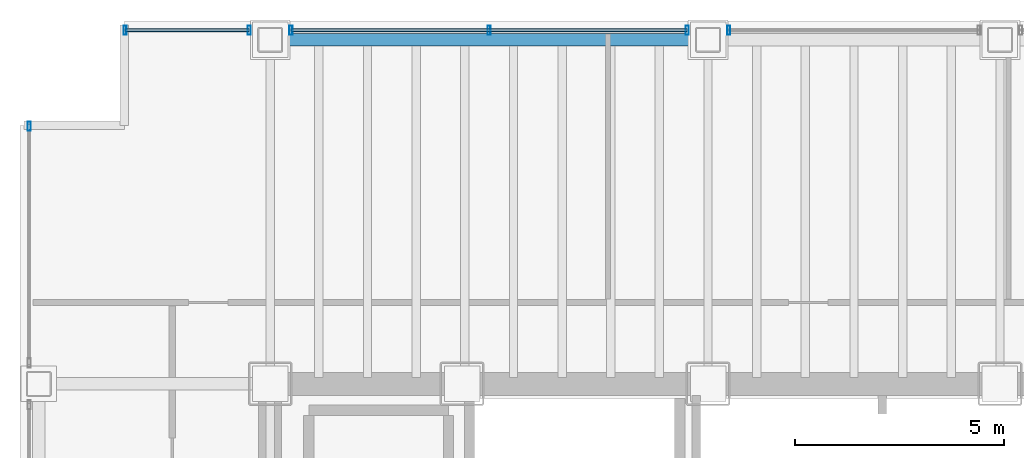
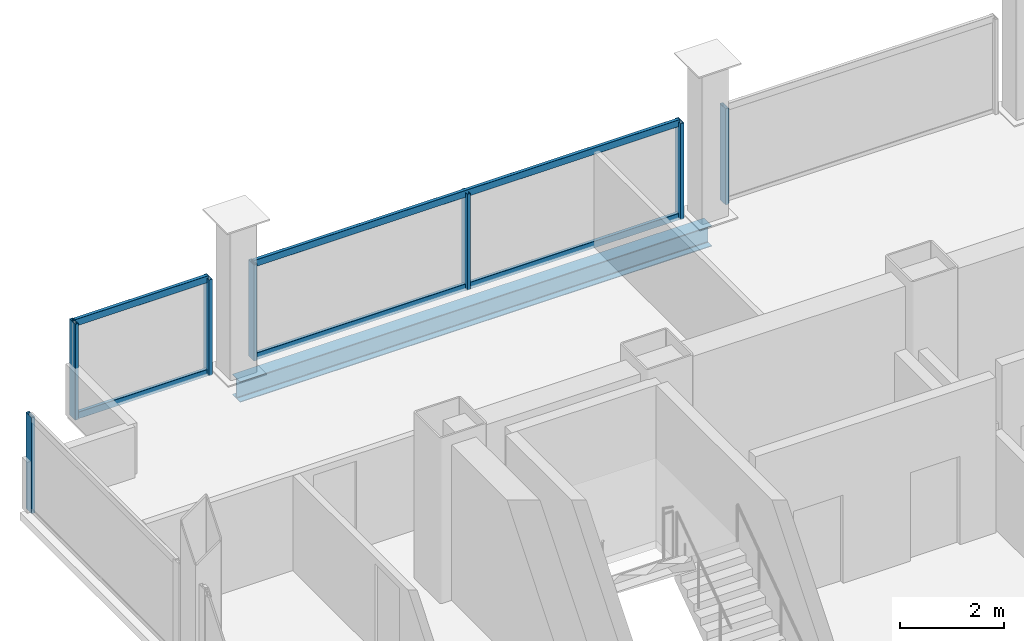
# One storey, part 13 of 21: 11 members, 1 beam, 4 elements without a shape of their own.
"""IFC4 building model written with IfcOpenShell, lengths in metres."""

from ifc_helpers import new_model, si_unit, direction, frame, origin, origin_2d, place, context, subcontext, project, spatial, hollow_rectangle, i_section, extrude, material, material_profile, profile_set, type_object, element, aggregate, save


model = new_model("IFC4")

# Units and contexts
model_context = context("Model", 3, precision=1e-05, world=origin(), true_north=direction((0.0, 1.0)))
body_context = subcontext(model_context, "Body", "Model", "MODEL_VIEW")
ifc_project = project(units=[si_unit("LENGTHUNIT", "METRE"), si_unit("AREAUNIT", "SQUARE_METRE"), si_unit("VOLUMEUNIT", "CUBIC_METRE"), si_unit("PLANEANGLEUNIT", "RADIAN"), si_unit("MASSUNIT", "GRAM", prefix="KILO")], contexts=[model_context])

# Site, building, storey
site_placement = place(None, origin())
site = spatial("IfcSite", under=ifc_project, at=site_placement, CompositionType="ELEMENT")
building_placement = place(site_placement, origin())
building = spatial("IfcBuilding", under=site, at=building_placement, Name="Noeulbin Bourse Tower", CompositionType="ELEMENT")
storey_placement = place(building_placement, frame((0.0, 0.0, 77.199951171875)))
storey = spatial("IfcBuildingStorey", under=building, at=storey_placement, Name="L19", CompositionType="ELEMENT", Elevation=77.199951171875)

# Beam
ifc_material_1 = material(Name="Steel S355", Category="steel")
ifc_material_profile_1 = material_profile(ifc_material_1, i_section(OverallWidth=0.300048828125, OverallDepth=0.488037109375, WebThickness=0.010986328125, FlangeThickness=0.01806640625, FilletRadius=0.02197265625, at=origin_2d()), Name="H-488x300x11x18", Category="LoadBearing")
ifc_profile_set_1 = profile_set([ifc_material_profile_1], Name="Steel S355")
beam_type = type_object("IfcBeamType", Name="BM-SPN-488", PredefinedType="SPANDREL", material=ifc_profile_set_1)
beam_placement = place(storey_placement, frame((13.5, 46.550048828125, -0.424072265625), z_axis=(1.0, 0.0, 0.0), x_axis=(0.0, 1.0, 0.0)))
element("IfcBeam", 1, at=beam_placement, inside=storey, type_object=beam_type, Name="North Spandrel L19-1", PredefinedType="SPANDREL", context=body_context, shape_type="SweptSolid", body=[
    extrude(i_section(OverallWidth=0.300048828125, OverallDepth=0.488037109375, WebThickness=0.010986328125, FlangeThickness=0.01806640625, FilletRadius=0.02197265625, at=origin_2d()), origin(), (0.0, 0.0, 1.0), 10.5),
])

# Curtain wall, members
ifc_material_2 = material(Name="Dark Solar-Control Double Glazing", Category="glass")
curtain_wall_type = type_object("IfcCurtainWallType", Name="CW-SYS-2", PredefinedType="NOTDEFINED", material=ifc_material_2)
curtain_wall_1_placement = place(storey_placement, origin())
curtain_wall_1 = element("IfcCurtainWall", 2, at=curtain_wall_1_placement, inside=storey, type_object=curtain_wall_type, Name="Unitised Curtain Wall CW-L19-N-S1", PredefinedType="NOTDEFINED")
ifc_material_3 = material(Name="Anodised Aluminium 6063-T6", Category="aluminium")
ifc_material_profile_2 = material_profile(ifc_material_3, hollow_rectangle(XDim=0.074951171875, YDim=0.219970703125, WallThickness=0.0048828125, InnerFilletRadius=0.00244140625, OuterFilletRadius=0.0048828125, at=origin_2d()), Name="ALU-MULL-75x220x5", Category="LoadBearing")
ifc_profile_set_2 = profile_set([ifc_material_profile_2], Name="Anodised Aluminium 6063-T6")
member_type_1 = type_object("IfcMemberType", Name="CW-SYS-2-MUL", PredefinedType="MULLION", material=ifc_profile_set_2)
member_1_placement = place(storey_placement, frame((10.02001953125, 46.780029296875, -0.02001953125), z_axis=(0.0, 0.0, 1.0), x_axis=(1.0, 0.0, 0.0)))
member_1 = element("IfcMember", 3, at=member_1_placement, type_object=member_type_1, Name="Curtain Wall Mullion CW-L19-N-S1-M00", PredefinedType="MULLION", context=body_context, shape_type="SweptSolid", body=[
    extrude(hollow_rectangle(XDim=0.074951171875, YDim=0.219970703125, WallThickness=0.0048828125, InnerFilletRadius=0.00244140625, OuterFilletRadius=0.0048828125, at=origin_2d()), origin(), (0.0, 0.0, 1.0), 2.260009765625),
])
member_2_placement = place(storey_placement, frame((13.0, 46.780029296875, -0.02001953125), z_axis=(0.0, 0.0, 1.0), x_axis=(1.0, 0.0, 0.0)))
member_2 = element("IfcMember", 4, at=member_2_placement, type_object=member_type_1, Name="Curtain Wall Mullion CW-L19-N-S1-M01", PredefinedType="MULLION", context=body_context, shape_type="SweptSolid", body=[
    extrude(hollow_rectangle(XDim=0.074951171875, YDim=0.219970703125, WallThickness=0.0048828125, InnerFilletRadius=0.00244140625, OuterFilletRadius=0.0048828125, at=origin_2d()), origin(), (0.0, 0.0, 1.0), 2.260009765625),
])

curtain_wall_2_placement = place(storey_placement, origin())
curtain_wall_2 = element("IfcCurtainWall", 5, at=curtain_wall_2_placement, inside=storey, type_object=curtain_wall_type, Name="Unitised Curtain Wall CW-L19-N-S2", PredefinedType="NOTDEFINED")
member_3_placement = place(storey_placement, frame((14.0, 46.780029296875, -0.02001953125), z_axis=(0.0, 0.0, 1.0), x_axis=(1.0, 0.0, 0.0)))
member_3 = element("IfcMember", 6, at=member_3_placement, type_object=member_type_1, Name="Curtain Wall Mullion CW-L19-N-S2-M00", PredefinedType="MULLION", context=body_context, shape_type="SweptSolid", body=[
    extrude(hollow_rectangle(XDim=0.074951171875, YDim=0.219970703125, WallThickness=0.0048828125, InnerFilletRadius=0.00244140625, OuterFilletRadius=0.0048828125, at=origin_2d()), origin(), (0.0, 0.0, 1.0), 2.260009765625),
])
member_4_placement = place(storey_placement, frame((18.75, 46.780029296875, -0.02001953125), z_axis=(0.0, 0.0, 1.0), x_axis=(1.0, 0.0, 0.0)))
member_4 = element("IfcMember", 7, at=member_4_placement, type_object=member_type_1, Name="Curtain Wall Mullion CW-L19-N-S2-M01", PredefinedType="MULLION", context=body_context, shape_type="SweptSolid", body=[
    extrude(hollow_rectangle(XDim=0.074951171875, YDim=0.219970703125, WallThickness=0.0048828125, InnerFilletRadius=0.00244140625, OuterFilletRadius=0.0048828125, at=origin_2d()), origin(), (0.0, 0.0, 1.0), 2.260009765625),
])
member_5_placement = place(storey_placement, frame((23.5, 46.780029296875, -0.02001953125), z_axis=(0.0, 0.0, 1.0), x_axis=(1.0, 0.0, 0.0)))
member_5 = element("IfcMember", 8, at=member_5_placement, type_object=member_type_1, Name="Curtain Wall Mullion CW-L19-N-S2-M02", PredefinedType="MULLION", context=body_context, shape_type="SweptSolid", body=[
    extrude(hollow_rectangle(XDim=0.074951171875, YDim=0.219970703125, WallThickness=0.0048828125, InnerFilletRadius=0.00244140625, OuterFilletRadius=0.0048828125, at=origin_2d()), origin(), (0.0, 0.0, 1.0), 2.260009765625),
])

# Curtain wall, member
curtain_wall_3_placement = place(storey_placement, origin())
curtain_wall_3 = element("IfcCurtainWall", 9, at=curtain_wall_3_placement, inside=storey, type_object=curtain_wall_type, Name="Unitised Curtain Wall CW-L19-N-S3", PredefinedType="NOTDEFINED")
member_6_placement = place(storey_placement, frame((24.5, 46.780029296875, -0.02001953125), z_axis=(0.0, 0.0, 1.0), x_axis=(1.0, 0.0, 0.0)))
member_6 = element("IfcMember", 10, at=member_6_placement, type_object=member_type_1, Name="Curtain Wall Mullion CW-L19-N-S3-M00", PredefinedType="MULLION", context=body_context, shape_type="SweptSolid", body=[
    extrude(hollow_rectangle(XDim=0.074951171875, YDim=0.219970703125, WallThickness=0.0048828125, InnerFilletRadius=0.00244140625, OuterFilletRadius=0.0048828125, at=origin_2d()), origin(), (0.0, 0.0, 1.0), 2.260009765625),
])
aggregate(curtain_wall_3, [member_6])

curtain_wall_4_placement = place(storey_placement, origin())
curtain_wall_4 = element("IfcCurtainWall", 11, at=curtain_wall_4_placement, inside=storey, type_object=curtain_wall_type, Name="Unitised Curtain Wall CW-L19-W-S4", PredefinedType="NOTDEFINED")
member_7_placement = place(storey_placement, frame((7.719970703125, 44.47998046875, -0.02001953125), z_axis=(0.0, 0.0, 1.0), x_axis=(1.0, 0.0, 0.0)))
member_7 = element("IfcMember", 12, at=member_7_placement, type_object=member_type_1, Name="Curtain Wall Mullion CW-L19-W-S4-M01", PredefinedType="MULLION", context=body_context, shape_type="SweptSolid", body=[
    extrude(hollow_rectangle(XDim=0.074951171875, YDim=0.219970703125, WallThickness=0.0048828125, InnerFilletRadius=0.00244140625, OuterFilletRadius=0.0048828125, at=origin_2d()), origin(), (0.0, 0.0, 1.0), 2.260009765625),
])
aggregate(curtain_wall_4, [member_7])

# Member
ifc_material_profile_3 = material_profile(ifc_material_3, hollow_rectangle(XDim=0.074951171875, YDim=0.159912109375, WallThickness=0.0048828125, InnerFilletRadius=0.00244140625, OuterFilletRadius=0.0048828125, at=origin_2d()), Name="ALU-TRAN-75x160x5", Category="LoadBearing")
ifc_profile_set_3 = profile_set([ifc_material_profile_3], Name="Anodised Aluminium 6063-T6")
member_type_2 = type_object("IfcMemberType", Name="CW-SYS-2-TRN", PredefinedType="USERDEFINED", material=ifc_profile_set_3)
member_8_placement = place(storey_placement, frame((10.030029296875, 46.780029296875, 0.010009765625), z_axis=(1.0, 0.0, 0.0), x_axis=(0.0, 1.0, 0.0)))
member_8 = element("IfcMember", 13, at=member_8_placement, type_object=member_type_2, Name="Curtain Wall Transom CW-L19-N-S1-T00", ObjectType="TRANSOM", PredefinedType="USERDEFINED", context=body_context, shape_type="SweptSolid", body=[
    extrude(hollow_rectangle(XDim=0.074951171875, YDim=0.159912109375, WallThickness=0.0048828125, InnerFilletRadius=0.00244140625, OuterFilletRadius=0.0048828125, at=origin_2d()), origin(), (0.0, 0.0, 1.0), 2.9599609375),
])

member_9_placement = place(storey_placement, frame((10.030029296875, 46.780029296875, 2.2099609375), z_axis=(1.0, 0.0, 0.0), x_axis=(0.0, 1.0, 0.0)))
member_9 = element("IfcMember", 14, at=member_9_placement, type_object=member_type_2, Name="Curtain Wall Transom CW-L19-N-S1-T01", ObjectType="TRANSOM", PredefinedType="USERDEFINED", context=body_context, shape_type="SweptSolid", body=[
    extrude(hollow_rectangle(XDim=0.074951171875, YDim=0.159912109375, WallThickness=0.0048828125, InnerFilletRadius=0.00244140625, OuterFilletRadius=0.0048828125, at=origin_2d()), origin(), (0.0, 0.0, 1.0), 2.9599609375),
])

aggregate(curtain_wall_1, [member_1, member_2, member_8, member_9])

member_10_placement = place(storey_placement, frame((14.010009765625, 46.780029296875, 0.010009765625), z_axis=(1.0, 0.0, 0.0), x_axis=(0.0, 1.0, 0.0)))
member_10 = element("IfcMember", 15, at=member_10_placement, type_object=member_type_2, Name="Curtain Wall Transom CW-L19-N-S2-T00", ObjectType="TRANSOM", PredefinedType="USERDEFINED", context=body_context, shape_type="SweptSolid", body=[
    extrude(hollow_rectangle(XDim=0.074951171875, YDim=0.159912109375, WallThickness=0.0048828125, InnerFilletRadius=0.00244140625, OuterFilletRadius=0.0048828125, at=origin_2d()), origin(), (0.0, 0.0, 1.0), 9.47998046875),
])

member_11_placement = place(storey_placement, frame((14.010009765625, 46.780029296875, 2.2099609375), z_axis=(1.0, 0.0, 0.0), x_axis=(0.0, 1.0, 0.0)))
member_11 = element("IfcMember", 16, at=member_11_placement, type_object=member_type_2, Name="Curtain Wall Transom CW-L19-N-S2-T01", ObjectType="TRANSOM", PredefinedType="USERDEFINED", context=body_context, shape_type="SweptSolid", body=[
    extrude(hollow_rectangle(XDim=0.074951171875, YDim=0.159912109375, WallThickness=0.0048828125, InnerFilletRadius=0.00244140625, OuterFilletRadius=0.0048828125, at=origin_2d()), origin(), (0.0, 0.0, 1.0), 9.47998046875),
])

aggregate(curtain_wall_2, [member_3, member_4, member_5, member_10, member_11])

save(model, "model.ifc")
